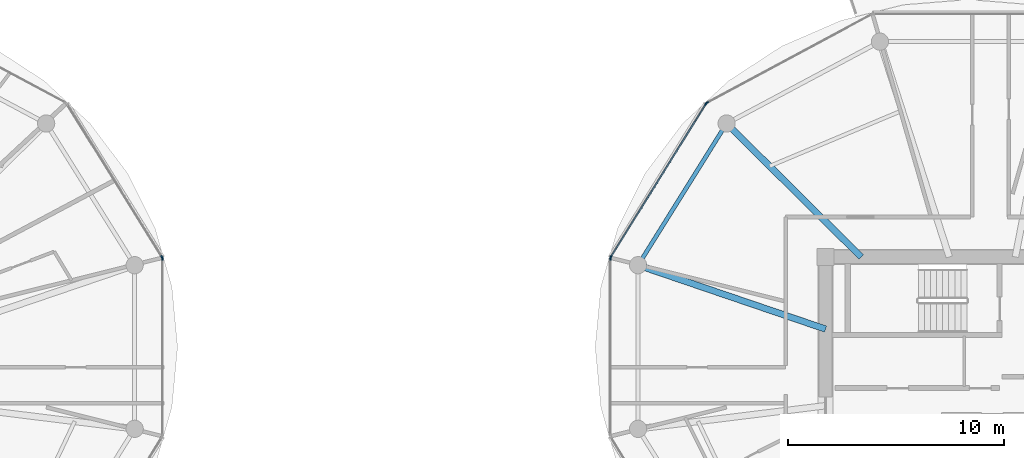
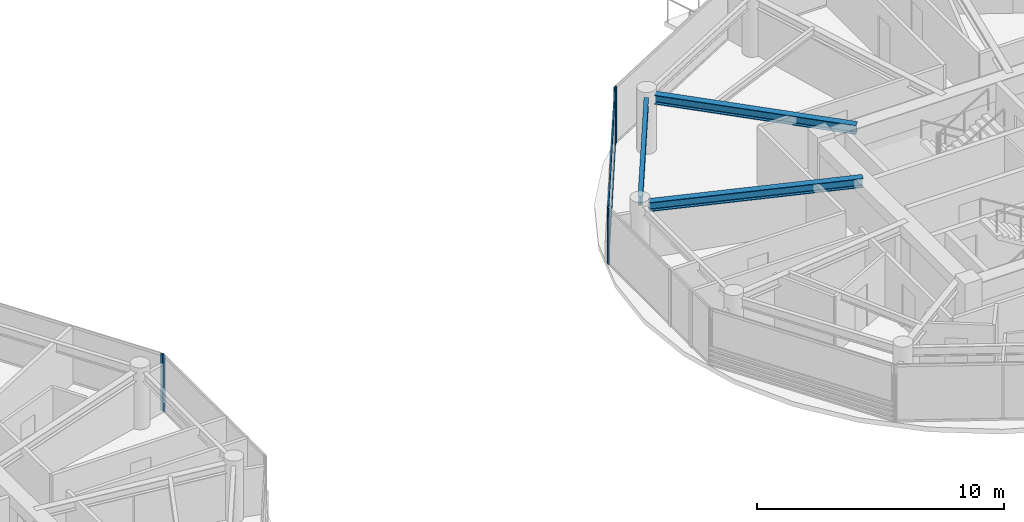
# One storey, part 7 of 22: 8 members, 3 beams, 5 elements without a shape of their own.
"""IFC4 building model written with IfcOpenShell, lengths in metres."""

from ifc_helpers import new_model, si_unit, direction, frame, origin, origin_2d, place, context, subcontext, project, spatial, rectangle, i_section, extrude, source, transform, mapped, material, layer, layer_set, material_profile, profile_set, type_object, type_shapes, element, aggregate, save


model = new_model("IFC4")

# Units and contexts
model_context = context("Model", 3, precision=1e-05, world=origin(), true_north=direction((0.0, 1.0)))
body_context = subcontext(model_context, "Body", "Model", "MODEL_VIEW")
ifc_project = project(units=[si_unit("LENGTHUNIT", "METRE"), si_unit("AREAUNIT", "SQUARE_METRE"), si_unit("VOLUMEUNIT", "CUBIC_METRE"), si_unit("PLANEANGLEUNIT", "RADIAN"), si_unit("MASSUNIT", "GRAM", prefix="KILO")], contexts=[model_context])

# Site, building, storey
site_placement = place(None, origin())
site = spatial("IfcSite", under=ifc_project, at=site_placement, CompositionType="ELEMENT")
building_placement = place(site_placement, origin())
building = spatial("IfcBuilding", under=site, at=building_placement, Name="Norrkilde Senior Care Towers", CompositionType="ELEMENT")
storey_placement = place(building_placement, frame((0.0, 0.0, 167.85009765625)))
storey = spatial("IfcBuildingStorey", under=building, at=storey_placement, Name="L52", CompositionType="ELEMENT", Elevation=167.85009765625)

# Beams
ifc_material_1 = material(Name="Steel S355", Category="steel")
ifc_material_profile_1 = material_profile(ifc_material_1, i_section(OverallWidth=0.18994140625, OverallDepth=0.449951171875, WebThickness=0.009521484375, FlangeThickness=0.0146484375, FilletRadius=0.02099609375, at=origin_2d()), Name="IPE 450")
ifc_profile_set_1 = profile_set([ifc_material_profile_1], Name="Steel S355")
beam_type_1 = type_object("IfcBeamType", Name="Perimeter Ring Spandrel Z3 IPE450", PredefinedType="SPANDREL", material=ifc_profile_set_1)
shared_shape_1 = source(origin(), body_context, "Body", "SweptSolid", [
    extrude(i_section(OverallWidth=0.18994140625, OverallDepth=0.449951171875, WebThickness=0.009521484375, FlangeThickness=0.0146484375, FilletRadius=0.02099609375, at=origin_2d()), origin(), (0.0, 0.0, 1.0), 7.0234375),
])
type_shapes(beam_type_1, [shared_shape_1])
beam_1_placement = place(storey_placement, frame((15.57666015625, 11.8291015625, 2.5849609375), z_axis=(-0.529789577822, -0.848129119433, 0.0), x_axis=(0.848129119433, -0.529789577822, 0.0)))
element("IfcBeam", 1, at=beam_1_placement, inside=storey, type_object=beam_type_1, Name="L52 Drum E Perimeter Spandrel 05", PredefinedType="SPANDREL", context=body_context, shape_type="MappedRepresentation", body=[
    mapped(shared_shape_1, transform((0.0, 0.0, 0.0), x_axis=(1.0, 0.0, 0.0), y_axis=(0.0, 1.0, 0.0), z_axis=(0.0, 0.0, 1.0), scale=1.0)),
])
ifc_material_profile_2 = material_profile(ifc_material_1, i_section(OverallWidth=0.300048828125, OverallDepth=0.449951171875, WebThickness=0.013916015625, FlangeThickness=0.02587890625, FilletRadius=0.027099609375, at=origin_2d()), Name="HEB 450")
ifc_profile_set_2 = profile_set([ifc_material_profile_2], Name="Steel S355")
beam_type_2 = type_object("IfcBeamType", Name="Radial Floor Beam Z3 HEB450", PredefinedType="BEAM", material=ifc_profile_set_2)
shared_shape_2 = source(origin(), body_context, "Body", "SweptSolid", [
    extrude(i_section(OverallWidth=0.300048828125, OverallDepth=0.449951171875, WebThickness=0.013916015625, FlangeThickness=0.02587890625, FilletRadius=0.027099609375, at=origin_2d()), origin(), (0.0, 0.0, 1.0), 8.8154296875),
])
beam_2_placement = place(storey_placement, frame((20.35009765625, 2.607177734375, 2.5849609375), z_axis=(-0.946540556878, 0.322584832539, 0.0), x_axis=(-0.322584832539, -0.946540556878, 0.0)))
element("IfcBeam", 2, at=beam_2_placement, inside=storey, type_object=beam_type_2, Name="L52 Drum E Radial Floor Beam 06", PredefinedType="BEAM", context=body_context, shape_type="MappedRepresentation", body=[
    mapped(shared_shape_2, transform((0.0, 0.0, 0.0), x_axis=(1.0, 0.0, 0.0), y_axis=(0.0, 1.0, 0.0), z_axis=(0.0, 0.0, 1.0), scale=1.0)),
])
shared_shape_3 = source(origin(), body_context, "Body", "SweptSolid", [
    extrude(i_section(OverallWidth=0.300048828125, OverallDepth=0.449951171875, WebThickness=0.013916015625, FlangeThickness=0.02587890625, FilletRadius=0.027099609375, at=origin_2d()), origin(), (0.0, 0.0, 1.0), 8.421630859375),
])
type_shapes(beam_type_2, [shared_shape_2, shared_shape_3])
beam_3_placement = place(storey_placement, frame((22.001953125, 5.949951171875, 2.5849609375), z_axis=(-0.709956495972, 0.704245535184, 0.0), x_axis=(-0.704245535184, -0.709956495972, 0.0)))
element("IfcBeam", 3, at=beam_3_placement, inside=storey, type_object=beam_type_2, Name="L52 Drum E Radial Floor Beam 05", PredefinedType="BEAM", context=body_context, shape_type="MappedRepresentation", body=[
    mapped(shared_shape_3, transform((0.0, 0.0, 0.0), x_axis=(1.0, 0.0, 0.0), y_axis=(0.0, 1.0, 0.0), z_axis=(0.0, 0.0, 1.0), scale=1.0)),
])

# Curtain wall, members
ifc_material_2 = material(Name="Triple Low-E Insulated Glazing", Category="glass")
ifc_layer = layer(ifc_material_2, 0.18994140625)
ifc_layer_set = layer_set([ifc_layer], Name="Triple Low-E Insulated Glazing")
curtain_wall_type = type_object("IfcCurtainWallType", Name="CW4 Zone 3 Senior Residence Curtain Wall", PredefinedType="NOTDEFINED", material=ifc_layer_set)
curtain_wall_1_placement = place(storey_placement, origin())
curtain_wall_1 = element("IfcCurtainWall", 4, at=curtain_wall_1_placement, inside=storey, type_object=curtain_wall_type, Name="L52 Drum E Curtain Wall 04", PredefinedType="NOTDEFINED")
ifc_material_3 = material(Name="Anodised Aluminium", Category="aluminium")
ifc_material_profile_3 = material_profile(ifc_material_3, rectangle(XDim=0.06005859375, YDim=0.1201171875, at=origin_2d()), Name="ALU TRAN 60x120")
ifc_profile_set_3 = profile_set([ifc_material_profile_3], Name="Anodised Aluminium")
member_type_1 = type_object("IfcMemberType", Name="Curtain Wall Transom Typical 60x120", PredefinedType="USERDEFINED", material=ifc_profile_set_3)
shared_shape_4 = source(origin(), body_context, "Body", "SweptSolid", [
    extrude(rectangle(XDim=0.06005859375, YDim=0.1201171875, at=origin_2d()), origin(), (0.0, 0.0, 1.0), 8.301513671875),
])
type_shapes(member_type_1, [shared_shape_4])
member_1_placement = place(storey_placement, frame((10.414794921875, 5.966552734375, 0.02978515625), z_axis=(0.527368718394, 0.849636531029, 0.0), x_axis=(-0.849636531029, 0.527368718394, 0.0)))
member_1 = element("IfcMember", 5, at=member_1_placement, type_object=member_type_1, Name="CW-4 transom 1.1", ObjectType="TRANSOM", PredefinedType="USERDEFINED", context=body_context, shape_type="MappedRepresentation", body=[
    mapped(shared_shape_4, transform((0.0, 0.0, 0.0), x_axis=(1.0, 0.0, 0.0), y_axis=(0.0, 1.0, 0.0), z_axis=(0.0, 0.0, 1.0), scale=1.0)),
])
member_2_placement = place(storey_placement, frame((10.414794921875, 5.966552734375, 2.77978515625), z_axis=(0.527368718394, 0.849636531029, 0.0), x_axis=(-0.849636531029, 0.527368718394, 0.0)))
member_2 = element("IfcMember", 6, at=member_2_placement, type_object=member_type_1, Name="CW-4 transom 1.2", ObjectType="TRANSOM", PredefinedType="USERDEFINED", context=body_context, shape_type="MappedRepresentation", body=[
    mapped(shared_shape_4, transform((0.0, 0.0, 0.0), x_axis=(1.0, 0.0, 0.0), y_axis=(0.0, 1.0, 0.0), z_axis=(0.0, 0.0, 1.0), scale=1.0)),
])

# Curtain wall, member
curtain_wall_2_placement = place(storey_placement, origin())
curtain_wall_2 = element("IfcCurtainWall", 7, at=curtain_wall_2_placement, inside=storey, type_object=curtain_wall_type, Name="L52 Drum W Curtain Wall 00", PredefinedType="NOTDEFINED")
ifc_material_profile_4 = material_profile(ifc_material_3, rectangle(XDim=0.06494140625, YDim=0.14990234375, at=origin_2d()), Name="ALU MULL 65x150")
ifc_profile_set_4 = profile_set([ifc_material_profile_4], Name="Anodised Aluminium")
member_type_2 = type_object("IfcMemberType", Name="Curtain Wall Mullion Z3-Z4 65x150", PredefinedType="MULLION", material=ifc_profile_set_4)
shared_shape_5 = source(origin(), body_context, "Body", "SweptSolid", [
    extrude(rectangle(XDim=0.06494140625, YDim=0.14990234375, at=origin_2d()), origin(), (0.0, 0.0, 1.0), 2.809814453125),
])
type_shapes(member_type_2, [shared_shape_5])
member_3_placement = place(storey_placement, frame((-10.3974609375, 5.93896484375, 0.0), z_axis=(0.0, 0.0, 1.0), x_axis=(0.84963405474, 0.52737270789, 0.0)))
member_3 = element("IfcMember", 8, at=member_3_placement, type_object=member_type_2, Name="CW-4 mullion 2", PredefinedType="MULLION", context=body_context, shape_type="MappedRepresentation", body=[
    mapped(shared_shape_5, transform((0.0, 0.0, 0.0), x_axis=(1.0, 0.0, 0.0), y_axis=(0.0, 1.0, 0.0), z_axis=(0.0, 0.0, 1.0), scale=1.0)),
])
aggregate(curtain_wall_2, [member_3])

curtain_wall_3_placement = place(storey_placement, origin())
curtain_wall_3 = element("IfcCurtainWall", 9, at=curtain_wall_3_placement, inside=storey, type_object=curtain_wall_type, Name="L52 Drum W Curtain Wall 11", PredefinedType="NOTDEFINED")
member_4_placement = place(storey_placement, frame((-10.38037109375, 5.878662109375, 0.0), z_axis=(0.0, 0.0, 1.0), x_axis=(1.0, 0.0, 0.0)))
member_4 = element("IfcMember", 10, at=member_4_placement, type_object=member_type_2, Name="CW-4 mullion 1", PredefinedType="MULLION", context=body_context, shape_type="MappedRepresentation", body=[
    mapped(shared_shape_5, transform((0.0, 0.0, 0.0), x_axis=(1.0, 0.0, 0.0), y_axis=(0.0, 1.0, 0.0), z_axis=(0.0, 0.0, 1.0), scale=1.0)),
])
aggregate(curtain_wall_3, [member_4])

curtain_wall_4_placement = place(storey_placement, origin())
curtain_wall_4 = element("IfcCurtainWall", 11, at=curtain_wall_4_placement, inside=storey, type_object=curtain_wall_type, Name="L52 Drum E Curtain Wall 03", PredefinedType="NOTDEFINED")
member_5_placement = place(storey_placement, frame((14.85546875, 13.09033203125, 0.0), z_axis=(0.0, 0.0, 1.0), x_axis=(-0.47311715104, 0.880999524059, 0.0)))
member_5 = element("IfcMember", 12, at=member_5_placement, type_object=member_type_2, Name="CW-4 mullion 1", PredefinedType="MULLION", context=body_context, shape_type="MappedRepresentation", body=[
    mapped(shared_shape_5, transform((0.0, 0.0, 0.0), x_axis=(1.0, 0.0, 0.0), y_axis=(0.0, 1.0, 0.0), z_axis=(0.0, 0.0, 1.0), scale=1.0)),
])
aggregate(curtain_wall_4, [member_5])

# Member
member_6_placement = place(storey_placement, frame((10.3974609375, 5.93896484375, 0.0), z_axis=(0.0, 0.0, 1.0), x_axis=(-0.84963405474, 0.52737270789, 0.0)))
member_6 = element("IfcMember", 13, at=member_6_placement, type_object=member_type_2, Name="CW-4 mullion 1", PredefinedType="MULLION", context=body_context, shape_type="MappedRepresentation", body=[
    mapped(shared_shape_5, transform((0.0, 0.0, 0.0), x_axis=(1.0, 0.0, 0.0), y_axis=(0.0, 1.0, 0.0), z_axis=(0.0, 0.0, 1.0), scale=1.0)),
])

member_7_placement = place(storey_placement, frame((14.809814453125, 13.04736328125, 0.0), z_axis=(0.0, 0.0, 1.0), x_axis=(-0.84963405474, 0.52737270789, 0.0)))
member_7 = element("IfcMember", 14, at=member_7_placement, type_object=member_type_2, Name="CW-4 mullion 2", PredefinedType="MULLION", context=body_context, shape_type="MappedRepresentation", body=[
    mapped(shared_shape_5, transform((0.0, 0.0, 0.0), x_axis=(1.0, 0.0, 0.0), y_axis=(0.0, 1.0, 0.0), z_axis=(0.0, 0.0, 1.0), scale=1.0)),
])

aggregate(curtain_wall_1, [member_6, member_7, member_1, member_2])

# Curtain wall, member
curtain_wall_5_placement = place(storey_placement, origin())
curtain_wall_5 = element("IfcCurtainWall", 15, at=curtain_wall_5_placement, inside=storey, type_object=curtain_wall_type, Name="L52 Drum E Curtain Wall 05", PredefinedType="NOTDEFINED")
member_8_placement = place(storey_placement, frame((10.38037109375, 5.878662109375, 0.0), z_axis=(0.0, 0.0, 1.0), x_axis=(-1.0, 0.0, 0.0)))
member_8 = element("IfcMember", 16, at=member_8_placement, type_object=member_type_2, Name="CW-4 mullion 2", PredefinedType="MULLION", context=body_context, shape_type="MappedRepresentation", body=[
    mapped(shared_shape_5, transform((0.0, 0.0, 0.0), x_axis=(1.0, 0.0, 0.0), y_axis=(0.0, 1.0, 0.0), z_axis=(0.0, 0.0, 1.0), scale=1.0)),
])
aggregate(curtain_wall_5, [member_8])

save(model, "model.ifc")
